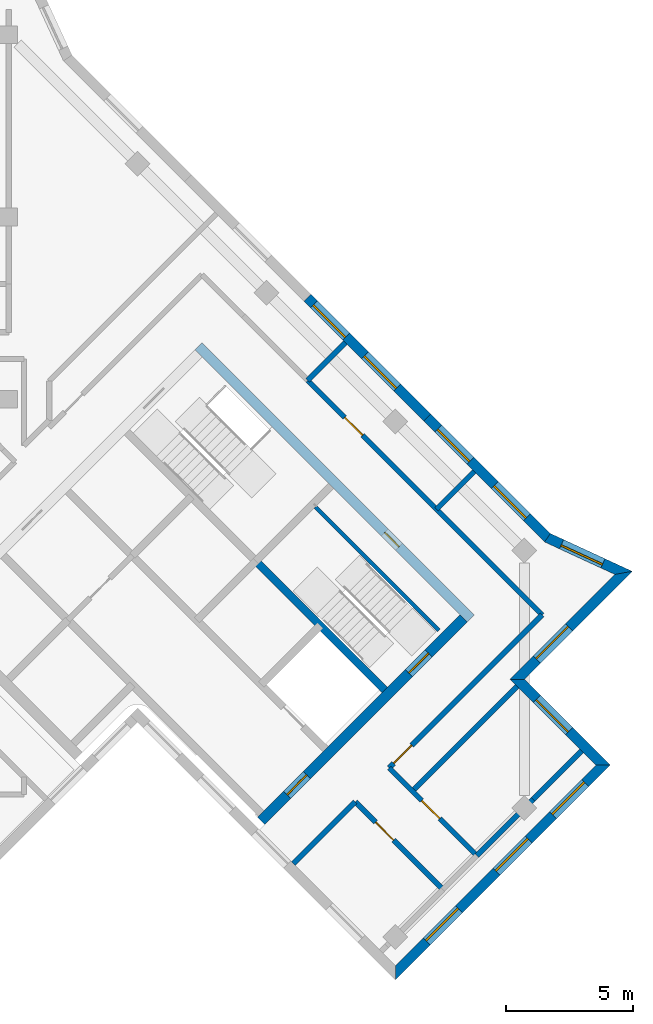
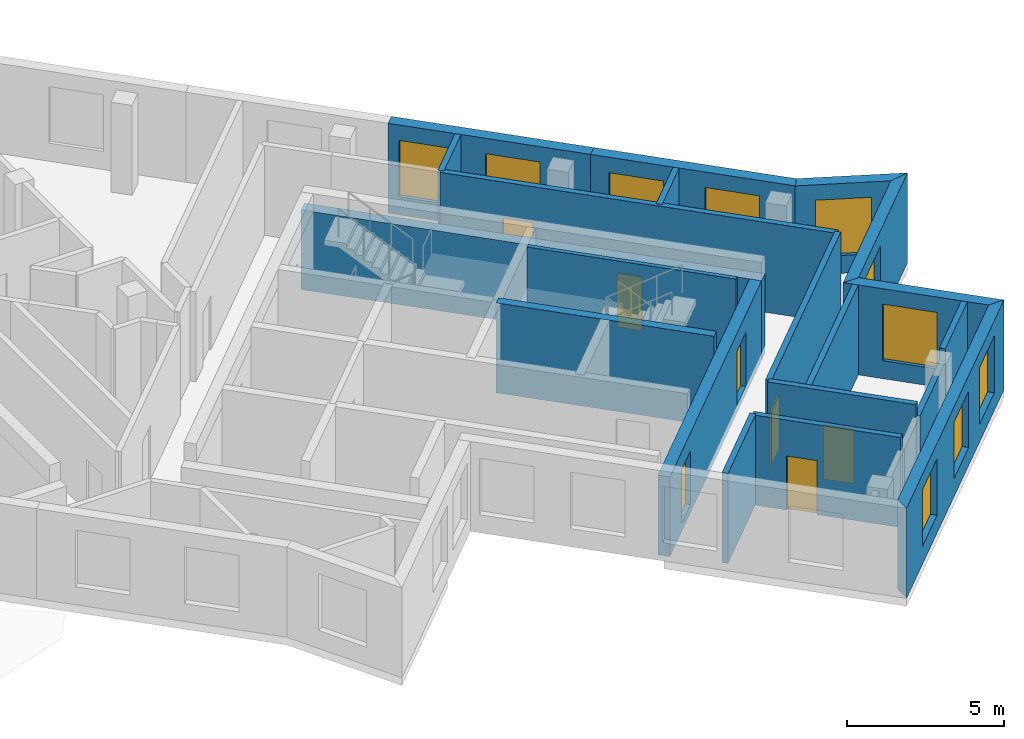
# One storey, part 5 of 8: 20 walls, 10 windows, 7 doors, 17 openings.
"""IFC4 building model written with IfcOpenShell, lengths in metres."""

from ifc_helpers import new_model, si_unit, direction, frame, frame_2d, origin, place, context, subcontext, project, spatial, polyline, rectangle, outline, extrude, material, layer, layer_set, type_object, element, fill, save


model = new_model("IFC4")

# Units and contexts
model_context = context("Model", 3, precision=1e-05, world=origin(), true_north=direction((0.0, 1.0)))
body_context = subcontext(model_context, "Body", "Model", "MODEL_VIEW")
ifc_project = project(units=[si_unit("LENGTHUNIT", "METRE"), si_unit("AREAUNIT", "SQUARE_METRE"), si_unit("VOLUMEUNIT", "CUBIC_METRE"), si_unit("PLANEANGLEUNIT", "RADIAN"), si_unit("MASSUNIT", "GRAM", prefix="KILO")], contexts=[model_context])

# Site, building, storey
site_placement = place(None, origin())
site = spatial("IfcSite", under=ifc_project, at=site_placement, CompositionType="ELEMENT")
building_placement = place(site_placement, origin())
building = spatial("IfcBuilding", under=site, at=building_placement, Name="Windrow Commons", CompositionType="ELEMENT")
storey_placement = place(building_placement, frame((0.0, 0.0, 298.2)))
storey = spatial("IfcBuildingStorey", under=building, at=storey_placement, Name="L81", CompositionType="ELEMENT", Elevation=298.2)

# Wall, opening, door
ifc_material_1 = material(Name="Blockwork partition", Category="masonry")
ifc_layer_1 = layer(ifc_material_1, 0.2)
ifc_layer_set_1 = layer_set([ifc_layer_1], Name="IW-CORRIDOR-200")
wall_type_1 = type_object("IfcWallType", Name="IW-CORRIDOR-200", PredefinedType="PARTITIONING", material=ifc_layer_set_1)
wall_1_placement = place(storey_placement, frame((100.2685, 49.0865, 0.0), z_axis=(0.0, 0.0, 1.0), x_axis=(-0.7071525817, 0.7070609777, 0.0)))
wall_1 = element("IfcWall", 1, at=wall_1_placement, inside=storey, type_object=wall_type_1, Name="W-L81-W002", PredefinedType="PARTITIONING", context=body_context, shape_type="SweptSolid", body=[
    extrude(rectangle(XDim=13.0999, YDim=0.2, at=frame_2d((6.5499, 0.0))), origin(), (0.0, 0.0, 1.0), 3.5),
])
opening_1_placement = place(wall_1_placement, frame((10.0287, 0.0, 0.0)))
opening_1 = element("IfcOpeningElement", 2, at=opening_1_placement, cuts=wall_1, Name="Opening D410F", PredefinedType="OPENING", context=body_context, shape_type="SweptSolid", body=[
    extrude(rectangle(XDim=1.0, YDim=2.1, at=frame_2d((0.5, 1.05))), frame((0.0, 0.11, 0.0), z_axis=(0.0, -1.0, 0.0), x_axis=(1.0, 0.0, 0.0)), (0.0, 0.0, 1.0), 0.22),
])
ifc_material_2 = material(Name="Timber door leaf", Category="wood")
door_type_1 = type_object("IfcDoorType", Name="DT-SERVICE-1000", OperationType="SINGLE_SWING_LEFT", PredefinedType="DOOR", material=ifc_material_2)
door_1_placement = place(opening_1_placement, origin())
door_1 = element("IfcDoor", 3, at=door_1_placement, inside=storey, type_object=door_type_1, Name="D-L81-D011", OperationType="SINGLE_SWING_RIGHT", OverallHeight=2.1, OverallWidth=1.0, PredefinedType="DOOR", context=body_context, shape_type="SweptSolid", body=[
    extrude(rectangle(XDim=1.0, YDim=2.1, at=frame_2d((0.5, 1.05))), frame((0.0, 0.025, 0.0), z_axis=(0.0, -1.0, 0.0), x_axis=(1.0, 0.0, 0.0)), (0.0, 0.0, 1.0), 0.05),
])
fill(opening_1, door_1)

wall_2_placement = place(storey_placement, frame((94.2252, 43.0448, 0.0), z_axis=(0.0, 0.0, 1.0), x_axis=(0.7071067812, 0.7071067812, 0.0)))
wall_2 = element("IfcWall", 4, at=wall_2_placement, inside=storey, type_object=wall_type_1, Name="W-L81-W007", PredefinedType="PARTITIONING", context=body_context, shape_type="SweptSolid", body=[
    extrude(rectangle(XDim=8.5503, YDim=0.2, at=frame_2d((4.2752, 0.0))), origin(), (0.0, 0.0, 1.0), 3.5),
])
opening_2_placement = place(wall_2_placement, frame((0.2557, 0.0, 0.0)))
opening_2 = element("IfcOpeningElement", 5, at=opening_2_placement, cuts=wall_2, Name="Opening D410F", PredefinedType="OPENING", context=body_context, shape_type="SweptSolid", body=[
    extrude(rectangle(XDim=1.0, YDim=2.1, at=frame_2d((0.5, 1.05))), frame((0.0, 0.11, 0.0), z_axis=(0.0, -1.0, 0.0), x_axis=(1.0, 0.0, 0.0)), (0.0, 0.0, 1.0), 0.22),
])
door_2_placement = place(opening_2_placement, origin())
door_2 = element("IfcDoor", 6, at=door_2_placement, inside=storey, type_object=door_type_1, Name="D-L81-D010", OperationType="SINGLE_SWING_RIGHT", OverallHeight=2.1, OverallWidth=1.0, PredefinedType="DOOR", context=body_context, shape_type="SweptSolid", body=[
    extrude(rectangle(XDim=1.0, YDim=2.1, at=frame_2d((0.5, 1.05))), frame((0.0, 0.025, 0.0), z_axis=(0.0, -1.0, 0.0), x_axis=(1.0, 0.0, 0.0)), (0.0, 0.0, 1.0), 0.05),
])
fill(opening_2, door_2)

wall_3_placement = place(storey_placement, frame((92.8874, 41.7034, 0.0), z_axis=(0.0, 0.0, 1.0), x_axis=(0.7071067812, -0.7071067812, 0.0)))
wall_3 = element("IfcWall", 7, at=wall_3_placement, inside=storey, type_object=wall_type_1, Name="W-L81-W015", PredefinedType="PARTITIONING", context=body_context, shape_type="SweptSolid", body=[
    extrude(rectangle(XDim=4.8988, YDim=0.2, at=frame_2d((2.4494, 0.0))), origin(), (0.0, 0.0, 1.0), 3.5),
])
opening_3_placement = place(wall_3_placement, frame((1.1359, 0.0, 0.0)))
opening_3 = element("IfcOpeningElement", 8, at=opening_3_placement, cuts=wall_3, Name="Opening D410F", PredefinedType="OPENING", context=body_context, shape_type="SweptSolid", body=[
    extrude(rectangle(XDim=1.0, YDim=2.1, at=frame_2d((0.5, 1.05))), frame((0.0, 0.11, 0.0), z_axis=(0.0, -1.0, 0.0), x_axis=(1.0, 0.0, 0.0)), (0.0, 0.0, 1.0), 0.22),
])
door_3_placement = place(opening_3_placement, origin())
door_3 = element("IfcDoor", 9, at=door_3_placement, inside=storey, type_object=door_type_1, Name="D-L81-D013", OperationType="SINGLE_SWING_LEFT", OverallHeight=2.1, OverallWidth=1.0, PredefinedType="DOOR", context=body_context, shape_type="SweptSolid", body=[
    extrude(rectangle(XDim=1.0, YDim=2.1, at=frame_2d((0.5, 1.05))), frame((0.0, 0.025, 0.0), z_axis=(0.0, -1.0, 0.0), x_axis=(1.0, 0.0, 0.0)), (0.0, 0.0, 1.0), 0.05),
])
fill(opening_3, door_3)

wall_4_placement = place(storey_placement, frame((94.2228, 43.0408, 0.0), z_axis=(0.0, 0.0, 1.0), x_axis=(0.7071067812, -0.7071067812, 0.0)))
wall_4 = element("IfcWall", 10, at=wall_4_placement, inside=storey, type_object=wall_type_1, Name="W-L81-W016", PredefinedType="PARTITIONING", context=body_context, shape_type="SweptSolid", body=[
    extrude(rectangle(XDim=4.8988, YDim=0.2, at=frame_2d((2.4494, 0.0))), origin(), (0.0, 0.0, 1.0), 3.5),
])
opening_4_placement = place(wall_4_placement, frame((1.825, 0.0, 0.0)))
opening_4 = element("IfcOpeningElement", 11, at=opening_4_placement, cuts=wall_4, Name="Opening D410F", PredefinedType="OPENING", context=body_context, shape_type="SweptSolid", body=[
    extrude(rectangle(XDim=1.0, YDim=2.1, at=frame_2d((0.5, 1.05))), frame((0.0, 0.11, 0.0), z_axis=(0.0, -1.0, 0.0), x_axis=(1.0, 0.0, 0.0)), (0.0, 0.0, 1.0), 0.22),
])
door_4_placement = place(opening_4_placement, origin())
door_4 = element("IfcDoor", 12, at=door_4_placement, inside=storey, type_object=door_type_1, Name="D-L81-D012", OperationType="SINGLE_SWING_RIGHT", OverallHeight=2.1, OverallWidth=1.0, PredefinedType="DOOR", context=body_context, shape_type="SweptSolid", body=[
    extrude(rectangle(XDim=1.0, YDim=2.1, at=frame_2d((0.5, 1.05))), frame((0.0, 0.025, 0.0), z_axis=(0.0, -1.0, 0.0), x_axis=(1.0, 0.0, 0.0)), (0.0, 0.0, 1.0), 0.05),
])
fill(opening_4, door_4)

# Walls
wall_5_placement = place(storey_placement, frame((90.4422, 39.2618, 0.0), z_axis=(0.0, 0.0, 1.0), x_axis=(0.7071067812, 0.7071067812, 0.0)))
element("IfcWall", 13, at=wall_5_placement, inside=storey, type_object=wall_type_1, Name="W-L81-W022", PredefinedType="PARTITIONING", context=body_context, shape_type="SweptSolid", body=[
    extrude(rectangle(XDim=3.4493, YDim=0.2, at=frame_2d((1.7247, 0.0))), origin(), (0.0, 0.0, 1.0), 3.5),
])
ifc_material_3 = material(Name="Blockwork partition", Category="masonry")
ifc_layer_2 = layer(ifc_material_3, 0.2)
ifc_layer_set_2 = layer_set([ifc_layer_2], Name="IW-PARTY-200")
wall_type_2 = type_object("IfcWallType", Name="IW-PARTY-200", PredefinedType="PARTITIONING", material=ifc_layer_set_2)
wall_6_placement = place(storey_placement, frame((97.69, 39.58, 0.0), z_axis=(0.0, 0.0, 1.0), x_axis=(0.7071067812, 0.7071067812, 0.0)))
element("IfcWall", 14, at=wall_6_placement, inside=storey, type_object=wall_type_2, Name="W-L81-W036", PredefinedType="PARTITIONING", context=body_context, shape_type="SweptSolid", body=[
    extrude(rectangle(XDim=3.1452, YDim=0.2, at=frame_2d((1.5726, 0.0))), origin(), (0.0, 0.0, 1.0), 3.0),
])
wall_7_placement = place(storey_placement, frame((95.1444, 42.1256, 0.0), z_axis=(0.0, 0.0, 1.0), x_axis=(0.7071067812, 0.7071067812, 0.0)))
element("IfcWall", 15, at=wall_7_placement, inside=storey, type_object=wall_type_2, Name="W-L81-W012", PredefinedType="PARTITIONING", context=body_context, shape_type="SweptSolid", body=[
    extrude(outline(polyline([(0.0, -0.1), (5.85, -0.1), (5.85, 0.1), (0.0, 0.1), (0.0, -0.1)])), origin(), (0.0, 0.0, 1.0), 3.5),
])
wall_8_placement = place(storey_placement, frame((99.914, 41.804, 0.0), z_axis=(0.0, 0.0, 1.0), x_axis=(0.7071067812, 0.7071067812, 0.0)))
element("IfcWall", 16, at=wall_8_placement, inside=storey, type_object=wall_type_2, Name="W-L81-W027", PredefinedType="PARTITIONING", context=body_context, shape_type="SweptSolid", body=[
    extrude(outline(polyline([(0.0, -0.1), (2.7048, -0.1), (2.7048, 0.1), (0.0, 0.1), (0.0, -0.1)])), origin(), (0.0, 0.0, 1.0), 3.5),
])
wall_9_placement = place(storey_placement, frame((96.0993, 53.2627, 0.0), z_axis=(0.0, 0.0, 1.0), x_axis=(0.7071067812, 0.7071067812, 0.0)))
element("IfcWall", 17, at=wall_9_placement, inside=storey, type_object=wall_type_2, Name="W-L81-W029", PredefinedType="PARTITIONING", context=body_context, shape_type="SweptSolid", body=[
    extrude(outline(polyline([(0.0, -0.1), (2.0997, -0.1), (2.0997, 0.1), (0.0, 0.1), (0.0, -0.1)])), origin(), (0.0, 0.0, 1.0), 3.5),
])
wall_10_placement = place(storey_placement, frame((91.0091, 58.3549, 0.0), z_axis=(0.0, 0.0, 1.0), x_axis=(0.7071067812, 0.7071067812, 0.0)))
element("IfcWall", 18, at=wall_10_placement, inside=storey, type_object=wall_type_2, Name="W-L81-W030", PredefinedType="PARTITIONING", context=body_context, shape_type="SweptSolid", body=[
    extrude(outline(polyline([(0.0, -0.1), (2.0983, -0.1), (2.0983, 0.1), (0.0, 0.1), (0.0, -0.1)])), origin(), (0.0, 0.0, 1.0), 3.5),
])

# Wall, opening, door
ifc_material_4 = material(Name="Concrete C40/50", Category="concrete")
ifc_layer_3 = layer(ifc_material_4, 0.4)
ifc_layer_set_3 = layer_set([ifc_layer_3], Name="RC CORE WALL 400 C40/50")
wall_type_3 = type_object("IfcWallType", Name="RC CORE WALL 400 C40/50", PredefinedType="SHEAR", material=ifc_layer_set_3)
wall_11_placement = place(storey_placement, frame((86.6953, 59.6963, -0.3), z_axis=(0.0, 0.0, 1.0), x_axis=(0.7071100706, -0.7071034917, 0.0)))
wall_11 = element("IfcWall", 19, at=wall_11_placement, inside=storey, type_object=wall_type_3, Name="Core B wall outer-N", PredefinedType="SHEAR", context=body_context, shape_type="SweptSolid", body=[
    extrude(outline(polyline([(0.0, 0.0), (15.2, 0.0), (15.2, 3.1), (0.0, 3.1), (0.0, 0.0)])), frame((0.0, 0.2, 0.0), z_axis=(0.0, -1.0, 0.0), x_axis=(1.0, 0.0, 0.0)), (0.0, 0.0, 1.0), 0.4),
])
opening_5_placement = place(wall_11_placement, frame((10.4, 0.0, 0.3)))
opening_5 = element("IfcOpeningElement", 20, at=opening_5_placement, cuts=wall_11, Name="Opening D9", PredefinedType="OPENING", context=body_context, shape_type="SweptSolid", body=[
    extrude(rectangle(XDim=0.8, YDim=2.1, at=frame_2d((0.4, 1.05))), frame((0.0, 0.21, 0.0), z_axis=(0.0, -1.0, 0.0), x_axis=(1.0, 0.0, 0.0)), (0.0, 0.0, 1.0), 0.42),
])
ifc_material_5 = material(Name="Steel fire door leaf", Category="steel")
door_type_2 = type_object("IfcDoorType", Name="Riser access door 800", OperationType="SINGLE_SWING_LEFT", PredefinedType="DOOR", material=ifc_material_5)
door_5_placement = place(opening_5_placement, origin())
door_5 = element("IfcDoor", 21, at=door_5_placement, inside=storey, type_object=door_type_2, Name="Riser access door", OperationType="SINGLE_SWING_RIGHT", OverallHeight=2.1, OverallWidth=0.8, PredefinedType="DOOR", context=body_context, shape_type="SweptSolid", body=[
    extrude(rectangle(XDim=0.8, YDim=2.1, at=frame_2d((0.4, 1.05))), frame((0.0, 0.025, 0.0), z_axis=(0.0, -1.0, 0.0), x_axis=(1.0, 0.0, 0.0)), (0.0, 0.0, 1.0), 0.05),
])
fill(opening_5, door_5)

# Wall, openings, doors
wall_12_placement = place(storey_placement, frame((89.1702, 40.958, -0.3), z_axis=(0.0, 0.0, 1.0), x_axis=(0.7071067812, 0.7071067812, 0.0)))
wall_12 = element("IfcWall", 22, at=wall_12_placement, inside=storey, type_object=wall_type_3, Name="Core B wall outer-E", PredefinedType="SHEAR", context=body_context, shape_type="SweptSolid", body=[
    extrude(outline(polyline([(0.0, 0.0), (11.3, 0.0), (11.3, 3.1), (0.0, 3.1), (0.0, 0.0)])), frame((0.0, 0.2, 0.0), z_axis=(0.0, -1.0, 0.0), x_axis=(1.0, 0.0, 0.0)), (0.0, 0.0, 1.0), 0.4),
])
opening_6_placement = place(wall_12_placement, frame((1.45, 0.0, 0.3)))
opening_6 = element("IfcOpeningElement", 23, at=opening_6_placement, cuts=wall_12, Name="Opening D6", PredefinedType="OPENING", context=body_context, shape_type="SweptSolid", body=[
    extrude(rectangle(XDim=1.1, YDim=2.1, at=frame_2d((0.55, 1.05))), frame((0.0, 0.21, 0.0), z_axis=(0.0, -1.0, 0.0), x_axis=(1.0, 0.0, 0.0)), (0.0, 0.0, 1.0), 0.42),
])
opening_7_placement = place(wall_12_placement, frame((8.25, 0.0, 0.3)))
opening_7 = element("IfcOpeningElement", 24, at=opening_7_placement, cuts=wall_12, Name="Opening D7", PredefinedType="OPENING", context=body_context, shape_type="SweptSolid", body=[
    extrude(rectangle(XDim=1.1, YDim=2.1, at=frame_2d((0.55, 1.05))), frame((0.0, 0.21, 0.0), z_axis=(0.0, -1.0, 0.0), x_axis=(1.0, 0.0, 0.0)), (0.0, 0.0, 1.0), 0.42),
])
ifc_material_6 = material(Name="Steel fire door leaf", Category="steel")
door_type_3 = type_object("IfcDoorType", Name="Core lobby door 1100", OperationType="SINGLE_SWING_LEFT", PredefinedType="DOOR", material=ifc_material_6)
door_6_placement = place(opening_6_placement, origin())
door_6 = element("IfcDoor", 25, at=door_6_placement, inside=storey, type_object=door_type_3, Name="Lift lobby door", OperationType="DOUBLE_DOOR_SINGLE_SWING", OverallHeight=2.1, OverallWidth=1.1, PredefinedType="DOOR", context=body_context, shape_type="SweptSolid", body=[
    extrude(rectangle(XDim=1.1, YDim=2.1, at=frame_2d((0.55, 1.05))), frame((0.0, 0.025, 0.0), z_axis=(0.0, -1.0, 0.0), x_axis=(1.0, 0.0, 0.0)), (0.0, 0.0, 1.0), 0.05),
])
fill(opening_6, door_6)
ifc_material_7 = material(Name="Steel fire door leaf", Category="steel")
door_type_4 = type_object("IfcDoorType", Name="Stair door 1100", OperationType="SINGLE_SWING_LEFT", PredefinedType="DOOR", material=ifc_material_7)
door_7_placement = place(opening_7_placement, origin())
door_7 = element("IfcDoor", 26, at=door_7_placement, inside=storey, type_object=door_type_4, Name="Stair door", OperationType="SINGLE_SWING_RIGHT", OverallHeight=2.1, OverallWidth=1.1, PredefinedType="DOOR", context=body_context, shape_type="SweptSolid", body=[
    extrude(rectangle(XDim=1.1, YDim=2.1, at=frame_2d((0.55, 1.05))), frame((0.0, 0.025, 0.0), z_axis=(0.0, -1.0, 0.0), x_axis=(1.0, 0.0, 0.0)), (0.0, 0.0, 1.0), 0.05),
])
fill(opening_7, door_7)

# Walls
ifc_material_8 = material(Name="Concrete C40/50", Category="concrete")
ifc_layer_4 = layer(ifc_material_8, 0.3)
ifc_layer_set_4 = layer_set([ifc_layer_4], Name="RC SHAFT WALL 300 C40/50")
wall_type_4 = type_object("IfcWallType", Name="RC SHAFT WALL 300 C40/50", PredefinedType="SOLIDWALL", material=ifc_layer_set_4)
wall_13_placement = place(storey_placement, frame((88.9581, 51.2111, 0.0), z_axis=(0.0, 0.0, 1.0), x_axis=(0.7070998367, -0.7071137256, 0.0)))
element("IfcWall", 27, at=wall_13_placement, inside=storey, type_object=wall_type_4, Name="Core B wall stair-S2", PredefinedType="SOLIDWALL", context=body_context, shape_type="SweptSolid", body=[
    extrude(outline(polyline([(0.0, 0.0), (7.2, 0.0), (7.2, 3.5), (0.0, 3.5), (0.0, 0.0)])), frame((0.0, 0.15, 0.0), z_axis=(0.0, -1.0, 0.0), x_axis=(1.0, 0.0, 0.0)), (0.0, 0.0, 1.0), 0.3),
])
ifc_material_9 = material(Name="Blockwork partition", Category="masonry")
ifc_layer_5 = layer(ifc_material_9, 0.15)
ifc_layer_set_5 = layer_set([ifc_layer_5], Name="Riser partition 150")
wall_type_5 = type_object("IfcWallType", Name="Riser partition 150", PredefinedType="PARTITIONING", material=ifc_layer_set_5)
wall_14_placement = place(storey_placement, frame((91.3127, 53.3536, 0.0), z_axis=(0.0, 0.0, 1.0), x_axis=(0.7071140275, -0.7070995348, 0.0)))
element("IfcWall", 28, at=wall_14_placement, inside=storey, type_object=wall_type_5, Name="W-core-strip-B-L81", PredefinedType="PARTITIONING", context=body_context, shape_type="SweptSolid", body=[
    extrude(outline(polyline([(0.0, 0.0), (6.9, 0.0), (6.9, 3.5), (0.0, 3.5), (0.0, 0.0)])), frame((0.0, 0.075, 0.0), z_axis=(0.0, -1.0, 0.0), x_axis=(1.0, 0.0, 0.0)), (0.0, 0.0, 1.0), 0.15),
])

# Wall, opening, window
ifc_material_10 = material(Name="Standing seam zinc cladding on insulated masonry backing", Category="masonry")
ifc_layer_6 = layer(ifc_material_10, 0.4)
ifc_layer_set_6 = layer_set([ifc_layer_6], Name="Zinc clad crown wall 400")
wall_type_6 = type_object("IfcWallType", Name="Zinc clad crown wall 400", PredefinedType="SOLIDWALL", material=ifc_layer_set_6)
wall_15_placement = place(storey_placement, frame((102.676, 43.15, 0.0), z_axis=(0.0, 0.0, 1.0), x_axis=(-0.7070963646, 0.7071171977, 0.0)))
wall_15 = element("IfcWall", 29, at=wall_15_placement, inside=storey, type_object=wall_type_6, Name="Brick facade wall L81 1", PredefinedType="SOLIDWALL", context=body_context, shape_type="SweptSolid", body=[
    extrude(outline(polyline([(-0.2, -0.2), (4.6001, -0.2), (5.0, 0.2), (0.2, 0.2), (-0.2, -0.2)])), origin(), (0.0, 0.0, 1.0), 3.5),
])
opening_8_placement = place(wall_15_placement, frame((1.9, 0.0, 0.7)))
opening_8 = element("IfcOpeningElement", 30, at=opening_8_placement, cuts=wall_15, Name="Opening W6", PredefinedType="OPENING", context=body_context, shape_type="SweptSolid", body=[
    extrude(rectangle(XDim=1.8, YDim=2.2, at=frame_2d((0.9, 1.1))), frame((0.0, 0.21, 0.0), z_axis=(0.0, -1.0, 0.0), x_axis=(1.0, 0.0, 0.0)), (0.0, 0.0, 1.0), 0.42),
])
ifc_material_11 = material(Name="Clear float glass in anodised aluminium frame", Category="aluminium")
window_type = type_object("IfcWindowType", Name="Window W6 crown 1800x2200", PartitioningType="SINGLE_PANEL", PredefinedType="WINDOW", material=ifc_material_11)
window_1_placement = place(opening_8_placement, origin())
window_1 = element("IfcWindow", 31, at=window_1_placement, inside=storey, type_object=window_type, Name="Window L81 1.1", OverallHeight=2.2, OverallWidth=1.8, PartitioningType="SINGLE_PANEL", PredefinedType="WINDOW", context=body_context, shape_type="SweptSolid", body=[
    extrude(rectangle(XDim=1.8, YDim=2.2, at=frame_2d((0.9, 1.1))), frame((0.0, 0.08, 0.0), z_axis=(0.0, -1.0, 0.0), x_axis=(1.0, 0.0, 0.0)), (0.0, 0.0, 1.0), 0.06),
])
fill(opening_8, window_1)

wall_16_placement = place(storey_placement, frame((99.2819, 46.5442, 0.0), z_axis=(0.0, 0.0, 1.0), x_axis=(0.7071067812, 0.7071067812, 0.0)))
wall_16 = element("IfcWall", 32, at=wall_16_placement, inside=storey, type_object=wall_type_6, Name="Brick facade wall L81 2", PredefinedType="SOLIDWALL", context=body_context, shape_type="SweptSolid", body=[
    extrude(outline(polyline([(0.2, -0.2), (6.23, -0.2), (5.6565, 0.2), (-0.2, 0.2), (0.2, -0.2)])), origin(), (0.0, 0.0, 1.0), 3.5),
])
opening_9_placement = place(wall_16_placement, frame((1.1, 0.0, 0.7)))
opening_9 = element("IfcOpeningElement", 33, at=opening_9_placement, cuts=wall_16, Name="Opening W6", PredefinedType="OPENING", context=body_context, shape_type="SweptSolid", body=[
    extrude(rectangle(XDim=1.8, YDim=2.2, at=frame_2d((0.9, 1.1))), frame((0.0, 0.21, 0.0), z_axis=(0.0, -1.0, 0.0), x_axis=(1.0, 0.0, 0.0)), (0.0, 0.0, 1.0), 0.42),
])
window_2_placement = place(opening_9_placement, origin())
window_2 = element("IfcWindow", 34, at=window_2_placement, inside=storey, type_object=window_type, Name="Window L81 2.1", OverallHeight=2.2, OverallWidth=1.8, PartitioningType="SINGLE_PANEL", PredefinedType="WINDOW", context=body_context, shape_type="SweptSolid", body=[
    extrude(rectangle(XDim=1.8, YDim=2.2, at=frame_2d((0.9, 1.1))), frame((0.0, 0.08, 0.0), z_axis=(0.0, -1.0, 0.0), x_axis=(1.0, 0.0, 0.0)), (0.0, 0.0, 1.0), 0.06),
])
fill(opening_9, window_2)

wall_17_placement = place(storey_placement, frame((103.4844, 50.7467, 0.0), z_axis=(0.0, 0.0, 1.0), x_axis=(-0.9078558767, 0.4192823716, 0.0)))
wall_17 = element("IfcWall", 35, at=wall_17_placement, inside=storey, type_object=wall_type_6, Name="Brick facade wall L81 3", PredefinedType="SOLIDWALL", context=body_context, shape_type="SweptSolid", body=[
    extrude(outline(polyline([(-0.2868, -0.2), (3.2735, -0.2), (3.3448, 0.2), (0.2868, 0.2), (-0.2868, -0.2)])), origin(), (0.0, 0.0, 1.0), 3.5),
])
opening_10_placement = place(wall_17_placement, frame((0.898, 0.0, 0.7)))
opening_10 = element("IfcOpeningElement", 36, at=opening_10_placement, cuts=wall_17, Name="Opening W6", PredefinedType="OPENING", context=body_context, shape_type="SweptSolid", body=[
    extrude(rectangle(XDim=1.8, YDim=2.2, at=frame_2d((0.9, 1.1))), frame((0.0, 0.21, 0.0), z_axis=(0.0, -1.0, 0.0), x_axis=(1.0, 0.0, 0.0)), (0.0, 0.0, 1.0), 0.42),
])
window_3_placement = place(opening_10_placement, origin())
window_3 = element("IfcWindow", 37, at=window_3_placement, inside=storey, type_object=window_type, Name="Window L81 3.1", OverallHeight=2.2, OverallWidth=1.8, PartitioningType="SINGLE_PANEL", PredefinedType="WINDOW", context=body_context, shape_type="SweptSolid", body=[
    extrude(rectangle(XDim=1.8, YDim=2.2, at=frame_2d((0.9, 1.1))), frame((0.0, 0.08, 0.0), z_axis=(0.0, -1.0, 0.0), x_axis=(1.0, 0.0, 0.0)), (0.0, 0.0, 1.0), 0.06),
])
fill(opening_10, window_3)

# Wall, openings, windows
wall_18_placement = place(storey_placement, frame((100.4801, 52.1342, 0.0), z_axis=(0.0, 0.0, 1.0), x_axis=(-0.7071067812, 0.7071067812, 0.0)))
wall_18 = element("IfcWall", 38, at=wall_18_placement, inside=storey, type_object=wall_type_6, Name="Brick facade wall L81 4", PredefinedType="SOLIDWALL", context=body_context, shape_type="SweptSolid", body=[
    extrude(outline(polyline([(0.0356, -0.2), (6.7178, -0.2), (6.7178, 0.2), (-0.0356, 0.2), (0.0356, -0.2)])), origin(), (0.0, 0.0, 1.0), 3.5),
])
opening_11_placement = place(wall_18_placement, frame((1.1473, 0.0, 0.7)))
opening_11 = element("IfcOpeningElement", 39, at=opening_11_placement, cuts=wall_18, Name="Opening W6", PredefinedType="OPENING", context=body_context, shape_type="SweptSolid", body=[
    extrude(rectangle(XDim=1.8, YDim=2.2, at=frame_2d((0.9, 1.1))), frame((0.0, 0.21, 0.0), z_axis=(0.0, -1.0, 0.0), x_axis=(1.0, 0.0, 0.0)), (0.0, 0.0, 1.0), 0.42),
])
opening_12_placement = place(wall_18_placement, frame((4.3062, 0.0, 0.7)))
opening_12 = element("IfcOpeningElement", 40, at=opening_12_placement, cuts=wall_18, Name="Opening W6", PredefinedType="OPENING", context=body_context, shape_type="SweptSolid", body=[
    extrude(rectangle(XDim=1.8, YDim=2.2, at=frame_2d((0.9, 1.1))), frame((0.0, 0.21, 0.0), z_axis=(0.0, -1.0, 0.0), x_axis=(1.0, 0.0, 0.0)), (0.0, 0.0, 1.0), 0.42),
])
window_4_placement = place(opening_11_placement, origin())
window_4 = element("IfcWindow", 41, at=window_4_placement, inside=storey, type_object=window_type, Name="Window L81 4.1", OverallHeight=2.2, OverallWidth=1.8, PartitioningType="SINGLE_PANEL", PredefinedType="WINDOW", context=body_context, shape_type="SweptSolid", body=[
    extrude(rectangle(XDim=1.8, YDim=2.2, at=frame_2d((0.9, 1.1))), frame((0.0, 0.08, 0.0), z_axis=(0.0, -1.0, 0.0), x_axis=(1.0, 0.0, 0.0)), (0.0, 0.0, 1.0), 0.06),
])
fill(opening_11, window_4)
window_5_placement = place(opening_12_placement, origin())
window_5 = element("IfcWindow", 42, at=window_5_placement, inside=storey, type_object=window_type, Name="Window L81 4.2", OverallHeight=2.2, OverallWidth=1.8, PartitioningType="SINGLE_PANEL", PredefinedType="WINDOW", context=body_context, shape_type="SweptSolid", body=[
    extrude(rectangle(XDim=1.8, YDim=2.2, at=frame_2d((0.9, 1.1))), frame((0.0, 0.08, 0.0), z_axis=(0.0, -1.0, 0.0), x_axis=(1.0, 0.0, 0.0)), (0.0, 0.0, 1.0), 0.06),
])
fill(opening_12, window_5)

wall_19_placement = place(storey_placement, frame((95.7299, 56.8844, 0.0), z_axis=(0.0, 0.0, 1.0), x_axis=(-0.7071067812, 0.7071067812, 0.0)))
wall_19 = element("IfcWall", 43, at=wall_19_placement, inside=storey, type_object=wall_type_6, Name="Brick facade wall L81 5", PredefinedType="SOLIDWALL", context=body_context, shape_type="SweptSolid", body=[
    extrude(outline(polyline([(0.0, -0.2), (6.6821, -0.2), (6.6821, 0.2), (0.0, 0.2), (0.0, -0.2)])), origin(), (0.0, 0.0, 1.0), 3.5),
])
opening_13_placement = place(wall_19_placement, frame((1.6768, 0.0, 0.7)))
opening_13 = element("IfcOpeningElement", 44, at=opening_13_placement, cuts=wall_19, Name="Opening W6", PredefinedType="OPENING", context=body_context, shape_type="SweptSolid", body=[
    extrude(rectangle(XDim=1.8, YDim=2.2, at=frame_2d((0.9, 1.1))), frame((0.0, 0.21, 0.0), z_axis=(0.0, -1.0, 0.0), x_axis=(1.0, 0.0, 0.0)), (0.0, 0.0, 1.0), 0.42),
])
opening_14_placement = place(wall_19_placement, frame((4.5295, 0.0, 0.7)))
opening_14 = element("IfcOpeningElement", 45, at=opening_14_placement, cuts=wall_19, Name="Opening W6", PredefinedType="OPENING", context=body_context, shape_type="SweptSolid", body=[
    extrude(rectangle(XDim=1.8, YDim=2.2, at=frame_2d((0.9, 1.1))), frame((0.0, 0.21, 0.0), z_axis=(0.0, -1.0, 0.0), x_axis=(1.0, 0.0, 0.0)), (0.0, 0.0, 1.0), 0.42),
])
window_6_placement = place(opening_13_placement, origin())
window_6 = element("IfcWindow", 46, at=window_6_placement, inside=storey, type_object=window_type, Name="Window L81 5.1", OverallHeight=2.2, OverallWidth=1.8, PartitioningType="SINGLE_PANEL", PredefinedType="WINDOW", context=body_context, shape_type="SweptSolid", body=[
    extrude(rectangle(XDim=1.8, YDim=2.2, at=frame_2d((0.9, 1.1))), frame((0.0, 0.08, 0.0), z_axis=(0.0, -1.0, 0.0), x_axis=(1.0, 0.0, 0.0)), (0.0, 0.0, 1.0), 0.06),
])
fill(opening_13, window_6)
window_7_placement = place(opening_14_placement, origin())
window_7 = element("IfcWindow", 47, at=window_7_placement, inside=storey, type_object=window_type, Name="Window L81 5.2", OverallHeight=2.2, OverallWidth=1.8, PartitioningType="SINGLE_PANEL", PredefinedType="WINDOW", context=body_context, shape_type="SweptSolid", body=[
    extrude(rectangle(XDim=1.8, YDim=2.2, at=frame_2d((0.9, 1.1))), frame((0.0, 0.08, 0.0), z_axis=(0.0, -1.0, 0.0), x_axis=(1.0, 0.0, 0.0)), (0.0, 0.0, 1.0), 0.06),
])
fill(opening_14, window_7)

wall_20_placement = place(storey_placement, frame((94.4735, 34.9476, 0.0), z_axis=(0.0, 0.0, 1.0), x_axis=(0.7071110915, 0.7071024708, 0.0)))
wall_20 = element("IfcWall", 48, at=wall_20_placement, inside=storey, type_object=wall_type_6, Name="Brick facade wall L81 24", PredefinedType="SOLIDWALL", context=body_context, shape_type="SweptSolid", body=[
    extrude(outline(polyline([(-0.2, -0.2), (11.8, -0.2), (11.4, 0.2), (0.2, 0.2), (-0.2, -0.2)])), origin(), (0.0, 0.0, 1.0), 3.5),
])
opening_15_placement = place(wall_20_placement, frame((1.75, 0.0, 0.7)))
opening_15 = element("IfcOpeningElement", 49, at=opening_15_placement, cuts=wall_20, Name="Opening W6", PredefinedType="OPENING", context=body_context, shape_type="SweptSolid", body=[
    extrude(rectangle(XDim=1.8, YDim=2.2, at=frame_2d((0.9, 1.1))), frame((0.0, 0.21, 0.0), z_axis=(0.0, -1.0, 0.0), x_axis=(1.0, 0.0, 0.0)), (0.0, 0.0, 1.0), 0.42),
])
opening_16_placement = place(wall_20_placement, frame((5.65, 0.0, 0.7)))
opening_16 = element("IfcOpeningElement", 50, at=opening_16_placement, cuts=wall_20, Name="Opening W6", PredefinedType="OPENING", context=body_context, shape_type="SweptSolid", body=[
    extrude(rectangle(XDim=1.8, YDim=2.2, at=frame_2d((0.9, 1.1))), frame((0.0, 0.21, 0.0), z_axis=(0.0, -1.0, 0.0), x_axis=(1.0, 0.0, 0.0)), (0.0, 0.0, 1.0), 0.42),
])
opening_17_placement = place(wall_20_placement, frame((8.8, 0.0, 0.7)))
opening_17 = element("IfcOpeningElement", 51, at=opening_17_placement, cuts=wall_20, Name="Opening W6", PredefinedType="OPENING", context=body_context, shape_type="SweptSolid", body=[
    extrude(rectangle(XDim=1.8, YDim=2.2, at=frame_2d((0.9, 1.1))), frame((0.0, 0.21, 0.0), z_axis=(0.0, -1.0, 0.0), x_axis=(1.0, 0.0, 0.0)), (0.0, 0.0, 1.0), 0.42),
])
window_8_placement = place(opening_15_placement, origin())
window_8 = element("IfcWindow", 52, at=window_8_placement, inside=storey, type_object=window_type, Name="Window L81 24.1", OverallHeight=2.2, OverallWidth=1.8, PartitioningType="SINGLE_PANEL", PredefinedType="WINDOW", context=body_context, shape_type="SweptSolid", body=[
    extrude(rectangle(XDim=1.8, YDim=2.2, at=frame_2d((0.9, 1.1))), frame((0.0, 0.08, 0.0), z_axis=(0.0, -1.0, 0.0), x_axis=(1.0, 0.0, 0.0)), (0.0, 0.0, 1.0), 0.06),
])
fill(opening_15, window_8)
window_9_placement = place(opening_16_placement, origin())
window_9 = element("IfcWindow", 53, at=window_9_placement, inside=storey, type_object=window_type, Name="Window L81 24.2", OverallHeight=2.2, OverallWidth=1.8, PartitioningType="SINGLE_PANEL", PredefinedType="WINDOW", context=body_context, shape_type="SweptSolid", body=[
    extrude(rectangle(XDim=1.8, YDim=2.2, at=frame_2d((0.9, 1.1))), frame((0.0, 0.08, 0.0), z_axis=(0.0, -1.0, 0.0), x_axis=(1.0, 0.0, 0.0)), (0.0, 0.0, 1.0), 0.06),
])
fill(opening_16, window_9)
window_10_placement = place(opening_17_placement, origin())
window_10 = element("IfcWindow", 54, at=window_10_placement, inside=storey, type_object=window_type, Name="Window L81 24.3", OverallHeight=2.2, OverallWidth=1.8, PartitioningType="SINGLE_PANEL", PredefinedType="WINDOW", context=body_context, shape_type="SweptSolid", body=[
    extrude(rectangle(XDim=1.8, YDim=2.2, at=frame_2d((0.9, 1.1))), frame((0.0, 0.08, 0.0), z_axis=(0.0, -1.0, 0.0), x_axis=(1.0, 0.0, 0.0)), (0.0, 0.0, 1.0), 0.06),
])
fill(opening_17, window_10)

save(model, "model.ifc")
